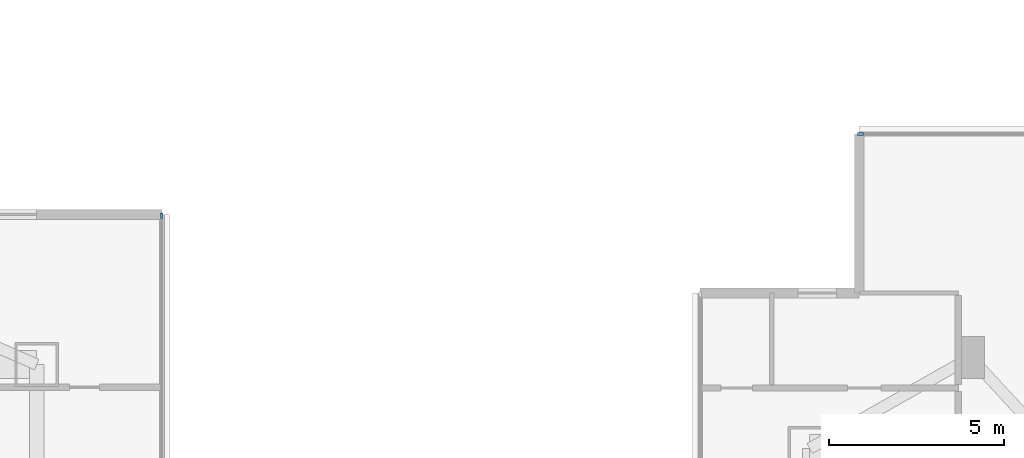
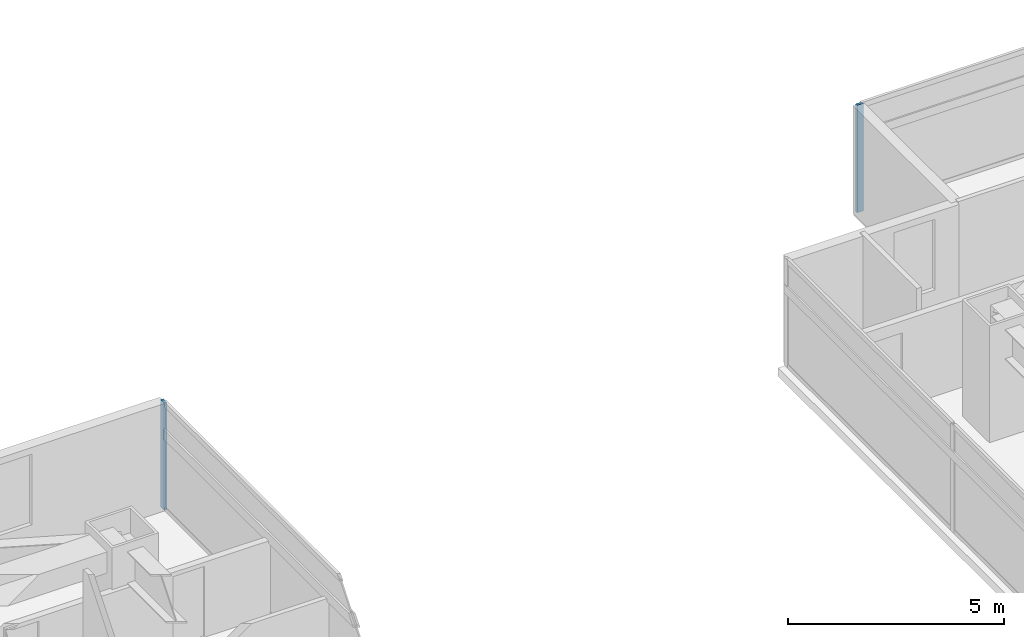
# One storey, part 8 of 24: 2 members, 2 elements without a shape of their own.
"""IFC4 building model written with IfcOpenShell, lengths in metres."""

from ifc_helpers import new_model, si_unit, direction, frame, origin, origin_2d, place, context, subcontext, project, spatial, rectangle, extrude, material, material_profile, profile_set, type_object, element, aggregate, save


model = new_model("IFC4")

# Units and contexts
model_context = context("Model", 3, precision=1e-05, world=origin(), true_north=direction((0.0, 1.0)))
body_context = subcontext(model_context, "Body", "Model", "MODEL_VIEW")
ifc_project = project(units=[si_unit("LENGTHUNIT", "METRE"), si_unit("AREAUNIT", "SQUARE_METRE"), si_unit("VOLUMEUNIT", "CUBIC_METRE"), si_unit("PLANEANGLEUNIT", "RADIAN"), si_unit("MASSUNIT", "GRAM", prefix="KILO")], contexts=[model_context])

# Site, building, storey
site_placement = place(None, origin())
site = spatial("IfcSite", under=ifc_project, at=site_placement, CompositionType="ELEMENT")
building_placement = place(site_placement, origin())
building = spatial("IfcBuilding", under=site, at=building_placement, Name="Mirazonda Arch Towers", CompositionType="ELEMENT")
storey_placement = place(building_placement, frame((0.0, 0.0, 68.60009765625)))
storey = spatial("IfcBuildingStorey", under=building, at=storey_placement, Name="L19", CompositionType="ELEMENT", Elevation=68.60009765625)

# Curtain wall, member
ifc_material_1 = material(Name="Anodised Aluminium and Low-E Glass", Category="aluminium")
curtain_wall_type = type_object("IfcCurtainWallType", Name="CW-HTL-UNIT", PredefinedType="NOTDEFINED", material=ifc_material_1)
curtain_wall_1_placement = place(storey_placement, origin())
curtain_wall_1 = element("IfcCurtainWall", 1, at=curtain_wall_1_placement, inside=storey, type_object=curtain_wall_type, Name="L19 T1 E Facade CW-L19-T1-E", PredefinedType="NOTDEFINED")
ifc_material_2 = material(Name="Anodised Aluminium Alloy", Category="aluminium")
ifc_material_profile = material_profile(ifc_material_2, rectangle(XDim=0.074951171875, YDim=0.1650390625, at=origin_2d()), Name="ALU-MULL-75x165")
ifc_profile_set = profile_set([ifc_material_profile], Name="Anodised Aluminium Alloy")
member_type = type_object("IfcMemberType", Name="MULL-CW-HTL-UNIT", PredefinedType="MULLION", material=ifc_profile_set)
member_1_placement = place(storey_placement, frame((42.47998046875, 41.8525390625, 0.0), z_axis=(0.0, 0.0, 1.0), x_axis=(-1.0, 0.0, 0.0)))
member_1 = element("IfcMember", 2, at=member_1_placement, type_object=member_type, Name="CW-112 mullion 4", PredefinedType="MULLION", context=body_context, shape_type="SweptSolid", body=[
    extrude(rectangle(XDim=0.074951171875, YDim=0.1650390625, at=origin_2d()), origin(), (0.0, 0.0, 1.0), 3.039794921875),
])
aggregate(curtain_wall_1, [member_1])

curtain_wall_2_placement = place(storey_placement, origin())
curtain_wall_2 = element("IfcCurtainWall", 3, at=curtain_wall_2_placement, inside=storey, type_object=curtain_wall_type, Name="L19 T2 N Facade CW-L19-T2-N", PredefinedType="NOTDEFINED")
member_2_placement = place(storey_placement, frame((62.45361328125, 44.1923828125, 0.0), z_axis=(0.0, 0.0, 1.0), x_axis=(0.0, 1.0, 0.0)))
member_2 = element("IfcMember", 4, at=member_2_placement, type_object=member_type, Name="CW-112 mullion 1", PredefinedType="MULLION", context=body_context, shape_type="SweptSolid", body=[
    extrude(rectangle(XDim=0.074951171875, YDim=0.1650390625, at=origin_2d()), origin(), (0.0, 0.0, 1.0), 3.039794921875),
])
aggregate(curtain_wall_2, [member_2])

save(model, "model.ifc")
